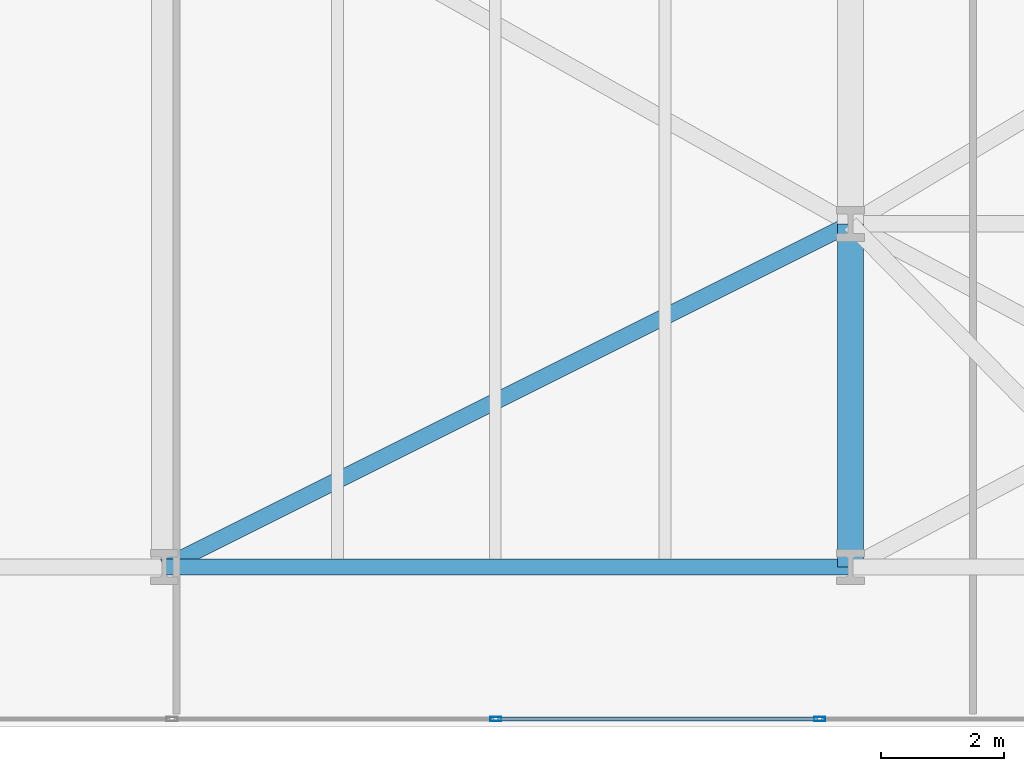
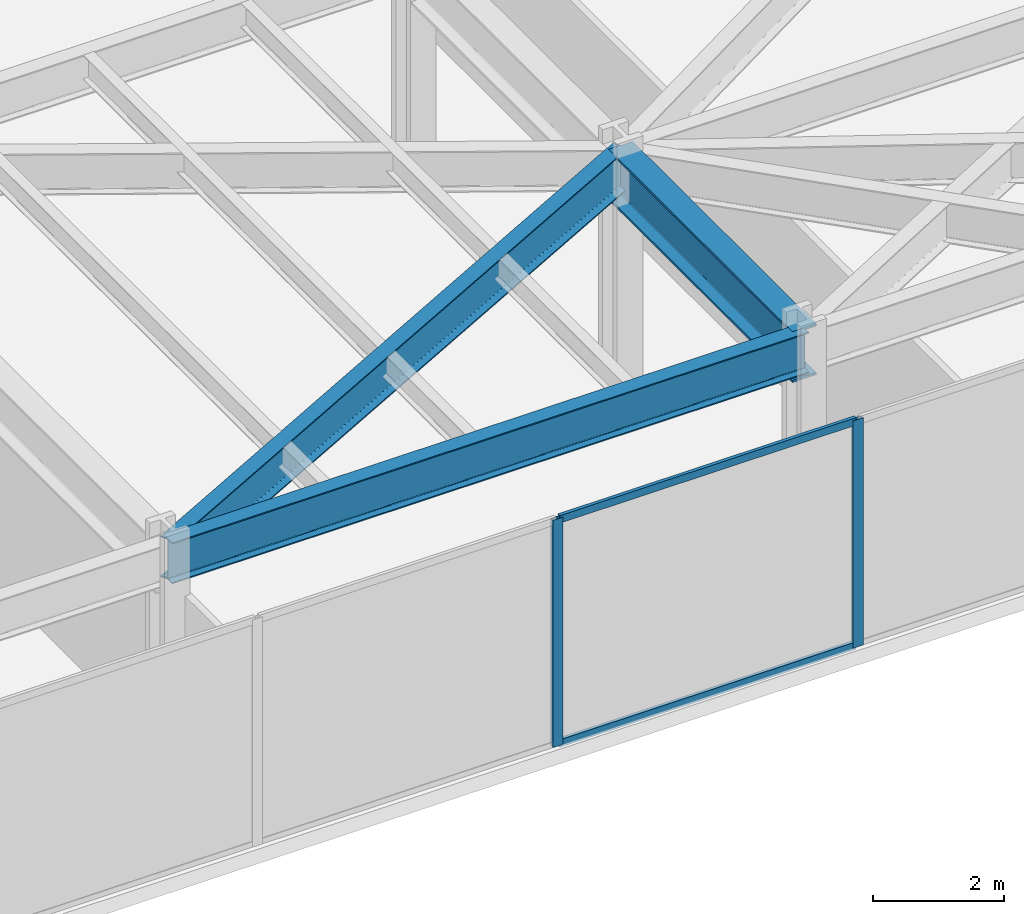
# One storey, part 16 of 28: 4 members, 3 beams, 1 element without a shape of its own.
"""IFC4 building model written with IfcOpenShell, lengths in metres."""

from ifc_helpers import new_model, si_unit, direction, frame, origin, origin_2d, place, context, subcontext, project, spatial, hollow_rectangle, i_section, extrude, material, layer, layer_set, material_profile, profile_set, type_object, element, aggregate, save


model = new_model("IFC4")

# Units and contexts
model_context = context("Model", 3, precision=1e-05, world=origin(), true_north=direction((0.0, 1.0)))
body_context = subcontext(model_context, "Body", "Model", "MODEL_VIEW")
ifc_project = project(units=[si_unit("LENGTHUNIT", "METRE"), si_unit("AREAUNIT", "SQUARE_METRE"), si_unit("VOLUMEUNIT", "CUBIC_METRE"), si_unit("PLANEANGLEUNIT", "RADIAN"), si_unit("MASSUNIT", "GRAM", prefix="KILO")], contexts=[model_context])

# Site, building, storey
site_placement = place(None, origin())
site = spatial("IfcSite", under=ifc_project, at=site_placement, CompositionType="ELEMENT")
building_placement = place(site_placement, origin())
building = spatial("IfcBuilding", under=site, at=building_placement, Name="Kravanh Interchange Tower", CompositionType="ELEMENT")
storey_placement = place(building_placement, frame((0.0, 0.0, 10.800048828125)))
storey = spatial("IfcBuildingStorey", under=building, at=storey_placement, Name="L02", CompositionType="ELEMENT", Elevation=10.800048828125)

# Curtain wall, members
ifc_material_1 = material(Name="Anodised Bronze Aluminium", Category="aluminium")
ifc_layer = layer(ifc_material_1, 0.179931640625)
ifc_layer_set = layer_set([ifc_layer], Name="Unitised Curtain Wall System CW-POD Podium Concourse")
curtain_wall_type = type_object("IfcCurtainWallType", Name="Unitised Curtain Wall System CW-POD Podium Concourse", PredefinedType="NOTDEFINED", material=ifc_layer_set)
curtain_wall_placement = place(storey_placement, origin())
curtain_wall = element("IfcCurtainWall", 1, at=curtain_wall_placement, inside=storey, type_object=curtain_wall_type, Name="L02 Unitised Curtain Wall CW-L02-04", PredefinedType="NOTDEFINED")
ifc_material_2 = material(Name="Anodised Bronze Aluminium", Category="aluminium")
ifc_material_profile_1 = material_profile(ifc_material_2, hollow_rectangle(XDim=0.070068359375, YDim=0.179931640625, WallThickness=0.00390625, at=origin_2d()), Name="ALU70X180X4")
ifc_profile_set_1 = profile_set([ifc_material_profile_1], Name="Anodised Bronze Aluminium")
member_type_1 = type_object("IfcMemberType", Name="Curtain Wall Mullion ALU70X180X4 Bronze", PredefinedType="MULLION", material=ifc_profile_set_1)
member_1_placement = place(storey_placement, frame((55.496337890625, 0.1201171875, 0.0), z_axis=(0.0, 0.0, 1.0), x_axis=(0.0, -1.0, 0.0)))
member_1 = element("IfcMember", 2, at=member_1_placement, type_object=member_type_1, Name="CW-POD mullion 4", PredefinedType="MULLION", context=body_context, shape_type="SweptSolid", body=[
    extrude(hollow_rectangle(XDim=0.070068359375, YDim=0.179931640625, WallThickness=0.00390625, at=origin_2d()), origin(), (0.0, 0.0, 1.0), 4.22998046875),
])
member_2_placement = place(storey_placement, frame((50.211669921875, 0.1201171875, 0.0), z_axis=(0.0, 0.0, 1.0), x_axis=(0.0, -1.0, 0.0)))
member_2 = element("IfcMember", 3, at=member_2_placement, type_object=member_type_1, Name="CW-POD mullion 5", PredefinedType="MULLION", context=body_context, shape_type="SweptSolid", body=[
    extrude(hollow_rectangle(XDim=0.070068359375, YDim=0.179931640625, WallThickness=0.00390625, at=origin_2d()), origin(), (0.0, 0.0, 1.0), 4.22998046875),
])
ifc_material_3 = material(Name="Anodised Bronze Aluminium", Category="aluminium")
ifc_material_profile_2 = material_profile(ifc_material_3, hollow_rectangle(XDim=0.06005859375, YDim=0.139892578125, WallThickness=0.00390625, at=origin_2d()), Name="ALU60X140X4")
ifc_profile_set_2 = profile_set([ifc_material_profile_2], Name="Anodised Bronze Aluminium")
member_type_2 = type_object("IfcMemberType", Name="Curtain Wall Transom ALU60X140X4 Bronze", PredefinedType="USERDEFINED", material=ifc_profile_set_2)
member_3_placement = place(storey_placement, frame((55.46142578125, 0.1201171875, 0.030029296875), z_axis=(-1.0, 0.0, 0.0), x_axis=(0.0, -1.0, 0.0)))
member_3 = element("IfcMember", 4, at=member_3_placement, type_object=member_type_2, Name="CW-POD transom 4.1", ObjectType="TRANSOM", PredefinedType="USERDEFINED", context=body_context, shape_type="SweptSolid", body=[
    extrude(hollow_rectangle(XDim=0.06005859375, YDim=0.139892578125, WallThickness=0.00390625, at=origin_2d()), origin(), (0.0, 0.0, 1.0), 5.21484375),
])
member_4_placement = place(storey_placement, frame((55.46142578125, 0.1201171875, 4.199951171875), z_axis=(-1.0, 0.0, 0.0), x_axis=(0.0, -1.0, 0.0)))
member_4 = element("IfcMember", 5, at=member_4_placement, type_object=member_type_2, Name="CW-POD transom 4.2", ObjectType="TRANSOM", PredefinedType="USERDEFINED", context=body_context, shape_type="SweptSolid", body=[
    extrude(hollow_rectangle(XDim=0.06005859375, YDim=0.139892578125, WallThickness=0.00390625, at=origin_2d()), origin(), (0.0, 0.0, 1.0), 5.21484375),
])
aggregate(curtain_wall, [member_1, member_2, member_3, member_4])

# Beams
ifc_material_4 = material(Name="Structural Steel S450", Category="steel")
ifc_material_profile_3 = material_profile(ifc_material_4, i_section(OverallWidth=0.423095703125, OverallDepth=0.947998046875, WebThickness=0.02392578125, FlangeThickness=0.042724609375, FilletRadius=0.028076171875, at=origin_2d()), Name="W36X302")
ifc_profile_set_3 = profile_set([ifc_material_profile_3], Name="Structural Steel S450")
beam_type_1 = type_object("IfcBeamType", Name="Floor Beam W36X302 Structural Steel S450", PredefinedType="BEAM", material=ifc_profile_set_3)
beam_1_placement = place(storey_placement, frame((56.0, 2.60009765625, 3.755859375), z_axis=(0.0, 1.0, 0.0), x_axis=(-1.0, 0.0, 0.0)))
element("IfcBeam", 6, at=beam_1_placement, inside=storey, type_object=beam_type_1, Name="L02 Primary Floor Girder 14", PredefinedType="BEAM", context=body_context, shape_type="SweptSolid", body=[
    extrude(i_section(OverallWidth=0.423095703125, OverallDepth=0.947998046875, WebThickness=0.02392578125, FlangeThickness=0.042724609375, FilletRadius=0.028076171875, at=origin_2d()), origin(), (0.0, 0.0, 1.0), 5.599853515625),
])
ifc_material_5 = material(Name="Structural Steel S355", Category="steel")
ifc_material_profile_4 = material_profile(ifc_material_5, i_section(OverallWidth=0.26708984375, OverallDepth=0.761962890625, WebThickness=0.014404296875, FlangeThickness=0.021484375, FilletRadius=0.02490234375, at=origin_2d()), Name="W30X116")
ifc_profile_set_4 = profile_set([ifc_material_profile_4], Name="Structural Steel S355")
beam_type_2 = type_object("IfcBeamType", Name="Floor Spandrel W30X116 Structural Steel S355", PredefinedType="SPANDREL", material=ifc_profile_set_4)
beam_2_placement = place(storey_placement, frame((44.800048828125, 2.60009765625, 3.848876953125), z_axis=(1.0, 0.0, 0.0), x_axis=(0.0, 1.0, 0.0)))
element("IfcBeam", 7, at=beam_2_placement, inside=storey, type_object=beam_type_2, Name="L02 Perimeter Spandrel 10", PredefinedType="SPANDREL", context=body_context, shape_type="SweptSolid", body=[
    extrude(i_section(OverallWidth=0.26708984375, OverallDepth=0.761962890625, WebThickness=0.014404296875, FlangeThickness=0.021484375, FilletRadius=0.02490234375, at=origin_2d()), origin(), (0.0, 0.0, 1.0), 11.199951171875),
])
beam_3_placement = place(storey_placement, frame((44.800048828125, 2.60009765625, 3.848876953125), z_axis=(0.894431090393, 0.447205796629, 0.0), x_axis=(-0.447205796629, 0.894431090393, 0.0)))
element("IfcBeam", 8, at=beam_3_placement, inside=storey, type_object=beam_type_2, Name="L02 Perimeter Spandrel 12", PredefinedType="SPANDREL", context=body_context, shape_type="SweptSolid", body=[
    extrude(i_section(OverallWidth=0.26708984375, OverallDepth=0.761962890625, WebThickness=0.014404296875, FlangeThickness=0.021484375, FilletRadius=0.02490234375, at=origin_2d()), origin(), (0.0, 0.0, 1.0), 12.52197265625),
])

save(model, "model.ifc")
